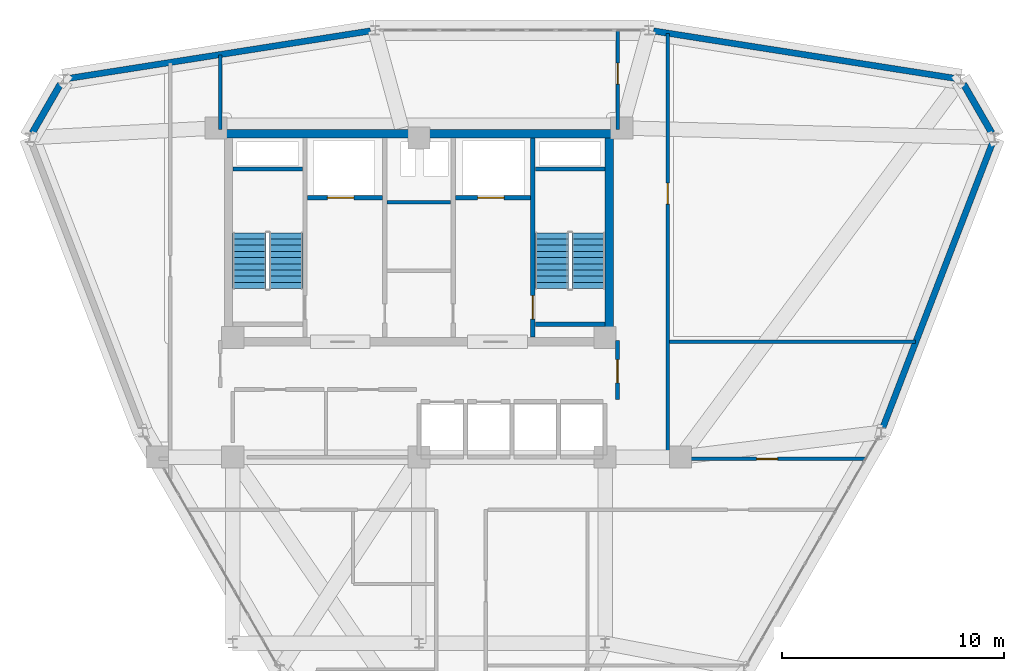
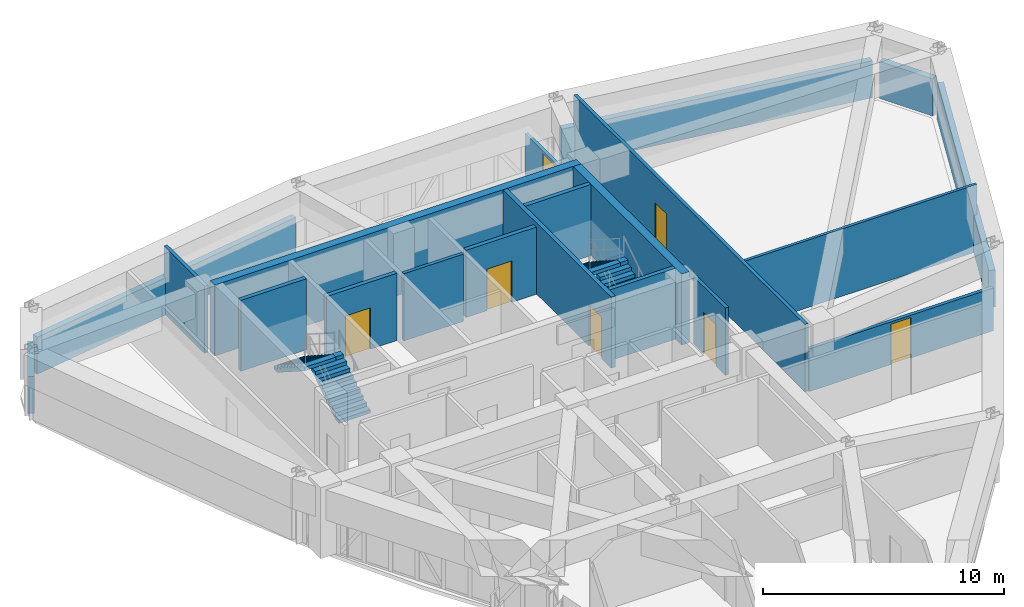
# One storey, part 15 of 16: 20 walls, 7 doors, 4 stair flights, 7 openings, 2 elements without a shape of their own.
"""IFC4 building model written with IfcOpenShell, lengths in metres."""

from ifc_helpers import new_model, si_unit, derived_unit, direction, frame, frame_2d, origin, place, context, subcontext, project, spatial, polyline, rectangle, outline, extrude, material, layer, layer_set, type_object, element, fill, aggregate, save


model = new_model("IFC4")

# Units and contexts
model_context = context("Model", 3, precision=1e-05, world=origin(), true_north=direction((0.0, 1.0)))
body_context = subcontext(model_context, "Body", "Model", "MODEL_VIEW")
ifc_project = project(units=[si_unit("LENGTHUNIT", "METRE"), si_unit("AREAUNIT", "SQUARE_METRE"), si_unit("VOLUMEUNIT", "CUBIC_METRE"), si_unit("PLANEANGLEUNIT", "RADIAN"), si_unit("MASSUNIT", "GRAM", prefix="KILO"), derived_unit("THERMALTRANSMITTANCEUNIT", [(si_unit("POWERUNIT", "WATT"), 1), (si_unit("LENGTHUNIT", "METRE"), -2), (si_unit("THERMODYNAMICTEMPERATUREUNIT", "KELVIN"), -1)])], contexts=[model_context])

# Site, building, storey
site_placement = place(None, origin())
site = spatial("IfcSite", under=ifc_project, at=site_placement, CompositionType="ELEMENT")
building_placement = place(site_placement, origin())
building = spatial("IfcBuilding", under=site, at=building_placement, Name="Korsvarv Bourse and Concert Hall", CompositionType="ELEMENT")
storey_placement = place(building_placement, frame((0.0, 0.0, 213.0)))
storey = spatial("IfcBuildingStorey", under=building, at=storey_placement, Name="L55", CompositionType="ELEMENT", Elevation=213.0)

# Walls
ifc_material_1 = material(Name="Concrete C50/60", Category="concrete")
ifc_layer_1 = layer(ifc_material_1, 0.3798828125)
ifc_layer_set_1 = layer_set([ifc_layer_1], Name="Concrete C50/60")
wall_type_1 = type_object("IfcWallType", Name="WL-CORE-380", PredefinedType="SHEAR", material=ifc_layer_set_1)
wall_1_placement = place(storey_placement, frame((27.219970703125, 46.989990234375, 0.0), z_axis=(0.0, 0.0, 1.0), x_axis=(1.0, 0.0, 0.0)))
element("IfcWall", 1, at=wall_1_placement, inside=storey, type_object=wall_type_1, Name="L55 North Core Shear Wall", PredefinedType="SHEAR", context=body_context, shape_type="SweptSolid", body=[
    extrude(rectangle(XDim=17.56005859375, YDim=0.3798828125, at=frame_2d((8.780029296875, 0.0))), origin(), (0.0, 0.0, 1.0), 3.60009765625),
])
wall_2_placement = place(storey_placement, frame((44.590087890625, 37.800048828125, 0.0), z_axis=(0.0, 0.0, 1.0), x_axis=(0.0, 1.0, 0.0)))
element("IfcWall", 2, at=wall_2_placement, inside=storey, type_object=wall_type_1, Name="L55 East Core Shear Wall", PredefinedType="SHEAR", context=body_context, shape_type="SweptSolid", body=[
    extrude(rectangle(XDim=9.0, YDim=0.3798828125, at=frame_2d((4.5, 0.0))), origin(), (0.0, 0.0, 1.0), 3.60009765625),
])
wall_3_placement = place(storey_placement, frame((27.610107421875, 45.39990234375, 0.0), z_axis=(0.0, 0.0, 1.0), x_axis=(1.0, 0.0, 0.0)))
element("IfcWall", 3, at=wall_3_placement, inside=storey, type_object=wall_type_1, Name="L55 stair shaft structural wall W-L55-ST1-N", PredefinedType="SHEAR", context=body_context, shape_type="SweptSolid", body=[
    extrude(rectangle(XDim=3.139892578125, YDim=0.199951171875, at=frame_2d((1.56982421875, 0.0))), origin(), (0.0, 0.0, 1.0), 3.60009765625),
])

# Wall, opening, door
wall_4_placement = place(storey_placement, frame((41.139892578125, 37.81005859375, 0.0), z_axis=(0.0, 0.0, 1.0), x_axis=(0.0, 1.0, 0.0)))
wall_4 = element("IfcWall", 4, at=wall_4_placement, inside=storey, type_object=wall_type_1, Name="L55 stair shaft structural wall W-L55-ST2-W", PredefinedType="SHEAR", context=body_context, shape_type="SweptSolid", body=[
    extrude(rectangle(XDim=8.97998046875, YDim=0.199951171875, at=frame_2d((4.489990234375, 0.0))), origin(), (0.0, 0.0, 1.0), 3.60009765625),
])
opening_1_placement = place(wall_4_placement, frame((0.820068359375, 0.0, 0.0)))
opening_1 = element("IfcOpeningElement", 5, at=opening_1_placement, cuts=wall_4, Name="Opening D-01", PredefinedType="OPENING", context=body_context, shape_type="SweptSolid", body=[
    extrude(rectangle(XDim=1.050048828125, YDim=2.10009765625, at=frame_2d((0.52490234375, 1.050048828125))), frame((0.0, 0.10986328125, 0.0), z_axis=(0.0, -1.0, 0.0), x_axis=(1.0, 0.0, 0.0)), (0.0, 0.0, 1.0), 0.219970703125),
])
ifc_material_2 = material(Name="Steel S355 fire door", Category="steel")
door_type_1 = type_object("IfcDoorType", Name="DR-FD60", OperationType="NOTDEFINED", PredefinedType="DOOR", material=ifc_material_2)
door_1_placement = place(opening_1_placement, frame((1.050048828125, 0.0, 0.0), z_axis=(0.0, 0.0, 1.0), x_axis=(-1.0, 0.0, 0.0)))
door_1 = element("IfcDoor", 6, at=door_1_placement, inside=storey, type_object=door_type_1, Name="L55 interior door DR-L55-ST2", OperationType="SINGLE_SWING_LEFT", OverallHeight=2.10009765625, OverallWidth=1.050048828125, PredefinedType="DOOR", context=body_context, shape_type="SweptSolid", body=[
    extrude(rectangle(XDim=1.050048828125, YDim=2.10009765625, at=frame_2d((0.52490234375, 1.050048828125))), frame((0.0, 0.02490234375, 0.0), z_axis=(0.0, -1.0, 0.0), x_axis=(1.0, 0.0, 0.0)), (0.0, 0.0, 1.0), 0.050048828125),
])
fill(opening_1, door_1)

# Walls
for number, where, z_axis, x_axis, name in (
    (7, (41.25, 45.39990234375, 0.0), (0.0, 0.0, 1.0), (1.0, 0.0, 0.0), "L55 stair shaft structural wall W-L55-ST2-N"),
    (8, (41.25, 38.39990234375, 0.0), (0.0, 0.0, 1.0), (1.0, 0.0, 0.0), "L55 stair shaft structural wall W-L55-ST2-S"),
):
    element("IfcWall", number, at=place(storey_placement, frame(where, z_axis=z_axis, x_axis=x_axis)), inside=storey, type_object=wall_type_1, Name=name, PredefinedType="SHEAR", context=body_context, shape_type="SweptSolid", body=[
        extrude(rectangle(XDim=3.139892578125, YDim=0.199951171875, at=frame_2d((1.56982421875, 0.0))), origin(), (0.0, 0.0, 1.0), 3.60009765625),
    ])
ifc_material_3 = material(Name="Precast concrete C45/55 with terracotta rainscreen", Category="concrete")
ifc_layer_2 = layer(ifc_material_3, 0.300048828125)
ifc_layer_set_2 = layer_set([ifc_layer_2], Name="Precast concrete C45/55 with terracotta rainscreen")
wall_type_2 = type_object("IfcWallType", Name="WL-EXT-TC1", PredefinedType="SOLIDWALL", material=ifc_layer_set_2)
for number, where, z_axis, x_axis, name in (
    (9, (61.84716796875, 47.0244140625, 0.0), (0.0, 0.0, 1.0), (-0.49997637333, 0.866039044219, 0.0), "L55 terracotta exterior wall EW-L55-B01"),
    (10, (19.828857421875, 49.23486328125, 0.0), (0.0, 0.0, 1.0), (-0.49990462644, -0.866080460733, 0.0), "L55 terracotta exterior wall EW-L55-B05"),
):
    element("IfcWall", number, at=place(storey_placement, frame(where, z_axis=z_axis, x_axis=x_axis)), inside=storey, type_object=wall_type_2, Name=name, PredefinedType="SOLIDWALL", context=body_context, shape_type="SweptSolid", body=[
        extrude(rectangle(XDim=2.55224609375, YDim=0.300048828125, at=frame_2d((1.276123046875, 0.0))), origin(), (0.0, 0.0, 1.0), 1.8798828125),
    ])
ifc_material_4 = material(Name="Precast concrete C45/55 with fluted terracotta pier", Category="concrete")
ifc_layer_3 = layer(ifc_material_4, 0.280029296875)
ifc_layer_set_3 = layer_set([ifc_layer_3], Name="Precast concrete C45/55 with fluted terracotta pier")
wall_type_3 = type_object("IfcWallType", Name="WL-EXT-TC2", PredefinedType="SOLIDWALL", material=ifc_layer_set_3)
for number, where, z_axis, x_axis, name in (
    (11, (60.239990234375, 49.48046875, 0.0), (0.0, 0.0, 1.0), (-0.987848165878, 0.155422009936, 0.0), "L55 terracotta exterior wall EW-L55-B02"),
    (12, (33.815185546875, 51.62890625, 0.0), (0.0, 0.0, 1.0), (-0.987848165878, -0.155422009936, 0.0), "L55 terracotta exterior wall EW-L55-B04"),
):
    element("IfcWall", number, at=place(storey_placement, frame(where, z_axis=z_axis, x_axis=x_axis)), inside=storey, type_object=wall_type_3, Name=name, PredefinedType="SOLIDWALL", context=body_context, shape_type="SweptSolid", body=[
        extrude(rectangle(XDim=13.8232421875, YDim=0.280029296875, at=frame_2d((6.91162109375, 0.0))), origin(), (0.0, 0.0, 1.0), 1.8798828125),
    ])
wall_5_placement = place(storey_placement, frame((56.933837890625, 33.731201171875, 0.0), z_axis=(0.0, 0.0, 1.0), x_axis=(0.359321962573, 0.933213655715, 0.0)))
element("IfcWall", 13, at=wall_5_placement, inside=storey, type_object=wall_type_3, Name="L55 terracotta exterior wall EW-L55-B12", PredefinedType="SOLIDWALL", context=body_context, shape_type="SweptSolid", body=[
    extrude(rectangle(XDim=13.7880859375, YDim=0.280029296875, at=frame_2d((6.89404296875, 0.0))), origin(), (0.0, 0.0, 1.0), 1.8798828125),
])

# Wall, opening, door
ifc_material_5 = material(Name="Reinforced concrete blockwork C35/45 fire wall", Category="concrete")
ifc_layer_4 = layer(ifc_material_5, 0.199951171875)
ifc_layer_set_4 = layer_set([ifc_layer_4], Name="Reinforced concrete blockwork C35/45 fire wall")
wall_type_4 = type_object("IfcWallType", Name="WL-INT-EI120", PredefinedType="PARTITIONING", material=ifc_layer_set_4)
wall_6_placement = place(storey_placement, frame((30.969970703125, 44.10009765625, 0.0), z_axis=(0.0, 0.0, 1.0), x_axis=(1.0, 0.0, 0.0)))
wall_6 = element("IfcWall", 14, at=wall_6_placement, inside=storey, type_object=wall_type_4, Name="L55 interior partition wall W-L55-FF1-S", PredefinedType="PARTITIONING", context=body_context, shape_type="SweptSolid", body=[
    extrude(rectangle(XDim=3.380126953125, YDim=0.199951171875, at=frame_2d((1.68994140625, 0.0))), origin(), (0.0, 0.0, 1.0), 3.409912109375),
])
opening_2_placement = place(wall_6_placement, frame((0.89990234375, 0.0, 0.0)))
opening_2 = element("IfcOpeningElement", 15, at=opening_2_placement, cuts=wall_6, Name="Opening LD-1", PredefinedType="OPENING", context=body_context, shape_type="SweptSolid", body=[
    extrude(rectangle(XDim=1.199951171875, YDim=2.10009765625, at=frame_2d((0.60009765625, 1.050048828125))), frame((0.0, 0.10986328125, 0.0), z_axis=(0.0, -1.0, 0.0), x_axis=(1.0, 0.0, 0.0)), (0.0, 0.0, 1.0), 0.219970703125),
])
ifc_material_6 = material(Name="Stainless Steel S355 firefighting lift landing door", Category="steel")
door_type_2 = type_object("IfcDoorType", Name="DR-LIFT-FF", OperationType="DOUBLE_DOOR_SLIDING", PredefinedType="DOOR", material=ifc_material_6)
door_2_placement = place(opening_2_placement, origin())
door_2 = element("IfcDoor", 16, at=door_2_placement, inside=storey, type_object=door_type_2, Name="L55 lift sliding landing door LD-L55-FF1", OperationType="DOUBLE_DOOR_SLIDING", OverallHeight=2.10009765625, OverallWidth=1.199951171875, PredefinedType="DOOR", context=body_context, shape_type="SweptSolid", body=[
    extrude(rectangle(XDim=1.199951171875, YDim=2.10009765625, at=frame_2d((0.60009765625, 1.050048828125))), frame((0.0, 0.02490234375, 0.0), z_axis=(0.0, -1.0, 0.0), x_axis=(1.0, 0.0, 0.0)), (0.0, 0.0, 1.0), 0.050048828125),
])
fill(opening_2, door_2)

wall_7_placement = place(storey_placement, frame((37.64990234375, 44.10009765625, 0.0), z_axis=(0.0, 0.0, 1.0), x_axis=(1.0, 0.0, 0.0)))
wall_7 = element("IfcWall", 17, at=wall_7_placement, inside=storey, type_object=wall_type_4, Name="L55 interior partition wall W-L55-FF2-S", PredefinedType="PARTITIONING", context=body_context, shape_type="SweptSolid", body=[
    extrude(rectangle(XDim=3.380126953125, YDim=0.199951171875, at=frame_2d((1.68994140625, 0.0))), origin(), (0.0, 0.0, 1.0), 3.409912109375),
])
opening_3_placement = place(wall_7_placement, frame((1.0, 0.0, 0.0)))
opening_3 = element("IfcOpeningElement", 18, at=opening_3_placement, cuts=wall_7, Name="Opening LD-1", PredefinedType="OPENING", context=body_context, shape_type="SweptSolid", body=[
    extrude(rectangle(XDim=1.199951171875, YDim=2.10009765625, at=frame_2d((0.60009765625, 1.050048828125))), frame((0.0, 0.10986328125, 0.0), z_axis=(0.0, -1.0, 0.0), x_axis=(1.0, 0.0, 0.0)), (0.0, 0.0, 1.0), 0.219970703125),
])
door_3_placement = place(opening_3_placement, origin())
door_3 = element("IfcDoor", 19, at=door_3_placement, inside=storey, type_object=door_type_2, Name="L55 lift sliding landing door LD-L55-FF2", OperationType="DOUBLE_DOOR_SLIDING", OverallHeight=2.10009765625, OverallWidth=1.199951171875, PredefinedType="DOOR", context=body_context, shape_type="SweptSolid", body=[
    extrude(rectangle(XDim=1.199951171875, YDim=2.10009765625, at=frame_2d((0.60009765625, 1.050048828125))), frame((0.0, 0.02490234375, 0.0), z_axis=(0.0, -1.0, 0.0), x_axis=(1.0, 0.0, 0.0)), (0.0, 0.0, 1.0), 0.050048828125),
])
fill(opening_3, door_3)

# Wall
ifc_material_7 = material(Name="Double-stud fire-rated acoustic partition", Category="gypsum")
ifc_layer_5 = layer(ifc_material_7, 0.159912109375)
ifc_layer_set_5 = layer_set([ifc_layer_5], Name="Double-stud fire-rated acoustic partition")
wall_type_5 = type_object("IfcWallType", Name="WL-INT-EI60", PredefinedType="PARTITIONING", material=ifc_layer_set_5)
wall_8_placement = place(storey_placement, frame((34.570068359375, 43.89990234375, 0.0), z_axis=(0.0, 0.0, 1.0), x_axis=(1.0, 0.0, 0.0)))
element("IfcWall", 20, at=wall_8_placement, inside=storey, type_object=wall_type_5, Name="L55 interior partition wall W-L55-K2", PredefinedType="PARTITIONING", context=body_context, shape_type="SweptSolid", body=[
    extrude(rectangle(XDim=2.85986328125, YDim=0.159912109375, at=frame_2d((1.429931640625, 0.0))), origin(), (0.0, 0.0, 1.0), 3.409912109375),
])

# Wall, opening, door
wall_9_placement = place(storey_placement, frame((44.9599609375, 35.0, 0.0), z_axis=(0.0, 0.0, 1.0), x_axis=(0.0, 1.0, 0.0)))
wall_9 = element("IfcWall", 21, at=wall_9_placement, inside=storey, type_object=wall_type_5, Name="L55 interior partition wall W-L55-LOB-E", PredefinedType="PARTITIONING", context=body_context, shape_type="SweptSolid", body=[
    extrude(rectangle(XDim=2.64990234375, YDim=0.159912109375, at=frame_2d((1.324951171875, 0.0))), origin(), (0.0, 0.0, 1.0), 3.409912109375),
])
opening_4_placement = place(wall_9_placement, frame((0.75, 0.0, 0.0)))
opening_4 = element("IfcOpeningElement", 22, at=opening_4_placement, cuts=wall_9, Name="Opening D-01", PredefinedType="OPENING", context=body_context, shape_type="SweptSolid", body=[
    extrude(rectangle(XDim=1.050048828125, YDim=2.10009765625, at=frame_2d((0.52490234375, 1.050048828125))), frame((0.0, 0.08984375, 0.0), z_axis=(0.0, -1.0, 0.0), x_axis=(1.0, 0.0, 0.0)), (0.0, 0.0, 1.0), 0.179931640625),
])
door_4_placement = place(opening_4_placement, origin())
door_4 = element("IfcDoor", 23, at=door_4_placement, inside=storey, type_object=door_type_1, Name="L55 interior door DR-L55-LOBE", OperationType="SINGLE_SWING_LEFT", OverallHeight=2.10009765625, OverallWidth=1.050048828125, PredefinedType="DOOR", context=body_context, shape_type="SweptSolid", body=[
    extrude(rectangle(XDim=1.050048828125, YDim=2.10009765625, at=frame_2d((0.52490234375, 1.050048828125))), frame((0.0, 0.02490234375, 0.0), z_axis=(0.0, -1.0, 0.0), x_axis=(1.0, 0.0, 0.0)), (0.0, 0.0, 1.0), 0.050048828125),
])
fill(opening_4, door_4)

wall_10_placement = place(storey_placement, frame((47.22509765625, 32.31005859375, 0.0), z_axis=(0.0, 0.0, 1.0), x_axis=(0.0, 1.0, 0.0)))
wall_10 = element("IfcWall", 24, at=wall_10_placement, inside=storey, type_object=wall_type_5, Name="L55 interior partition wall W-L55-TCOR-01", PredefinedType="PARTITIONING", context=body_context, shape_type="SweptSolid", body=[
    extrude(rectangle(XDim=19.1982421875, YDim=0.159912109375, at=frame_2d((9.59912109375, 0.0))), origin(), (0.0, 0.0, 1.0), 3.409912109375),
])
opening_5_placement = place(wall_10_placement, frame((11.499755859375, 0.0, 0.0)))
opening_5 = element("IfcOpeningElement", 25, at=opening_5_placement, cuts=wall_10, Name="Opening D-02", PredefinedType="OPENING", context=body_context, shape_type="SweptSolid", body=[
    extrude(rectangle(XDim=0.949951171875, YDim=2.050048828125, at=frame_2d((0.47509765625, 1.02490234375))), frame((0.0, 0.08984375, 0.0), z_axis=(0.0, -1.0, 0.0), x_axis=(1.0, 0.0, 0.0)), (0.0, 0.0, 1.0), 0.179931640625),
])
ifc_material_8 = material(Name="Timber and steel acoustic fire door", Category="wood")
door_type_3 = type_object("IfcDoorType", Name="DR-FD30", OperationType="NOTDEFINED", PredefinedType="DOOR", material=ifc_material_8)
door_5_placement = place(opening_5_placement, origin())
door_5 = element("IfcDoor", 26, at=door_5_placement, inside=storey, type_object=door_type_3, Name="L55 interior door DR-L55-TCOR-RM22", OperationType="SINGLE_SWING_RIGHT", OverallHeight=2.050048828125, OverallWidth=0.949951171875, PredefinedType="DOOR", context=body_context, shape_type="SweptSolid", body=[
    extrude(rectangle(XDim=0.949951171875, YDim=2.050048828125, at=frame_2d((0.47509765625, 1.02490234375))), frame((0.0, 0.02490234375, 0.0), z_axis=(0.0, -1.0, 0.0), x_axis=(1.0, 0.0, 0.0)), (0.0, 0.0, 1.0), 0.050048828125),
])
fill(opening_5, door_5)

wall_11_placement = place(storey_placement, frame((47.306884765625, 32.31494140625, 0.0), z_axis=(0.0, 0.0, 1.0), x_axis=(1.0, 0.0, 0.0)))
wall_11 = element("IfcWall", 27, at=wall_11_placement, inside=storey, type_object=wall_type_5, Name="L55 interior partition wall W-L55-TCOR-07", PredefinedType="PARTITIONING", context=body_context, shape_type="SweptSolid", body=[
    extrude(rectangle(XDim=8.830322265625, YDim=0.159912109375, at=frame_2d((4.4150390625, 0.0))), origin(), (0.0, 0.0, 1.0), 2.169921875),
])
opening_6_placement = place(wall_11_placement, frame((3.926025390625, 0.0, 0.0)))
opening_6 = element("IfcOpeningElement", 28, at=opening_6_placement, cuts=wall_11, Name="Opening D-02", PredefinedType="OPENING", context=body_context, shape_type="SweptSolid", body=[
    extrude(rectangle(XDim=0.949951171875, YDim=2.050048828125, at=frame_2d((0.47509765625, 1.02490234375))), frame((0.0, 0.08984375, 0.0), z_axis=(0.0, -1.0, 0.0), x_axis=(1.0, 0.0, 0.0)), (0.0, 0.0, 1.0), 0.179931640625),
])
door_6_placement = place(opening_6_placement, origin())
door_6 = element("IfcDoor", 29, at=door_6_placement, inside=storey, type_object=door_type_3, Name="L55 interior door DR-L55-TCOR-PN81", OperationType="SINGLE_SWING_RIGHT", OverallHeight=2.050048828125, OverallWidth=0.949951171875, PredefinedType="DOOR", context=body_context, shape_type="SweptSolid", body=[
    extrude(rectangle(XDim=0.949951171875, YDim=2.050048828125, at=frame_2d((0.47509765625, 1.02490234375))), frame((0.0, 0.02490234375, 0.0), z_axis=(0.0, -1.0, 0.0), x_axis=(1.0, 0.0, 0.0)), (0.0, 0.0, 1.0), 0.050048828125),
])
fill(opening_6, door_6)

wall_12_placement = place(storey_placement, frame((44.965087890625, 47.18310546875, 0.0), z_axis=(0.0, 0.0, 1.0), x_axis=(0.0, 1.0, 0.0)))
wall_12 = element("IfcWall", 30, at=wall_12_placement, inside=storey, type_object=wall_type_5, Name="L55 interior partition wall W-L55-TCOR-08", PredefinedType="PARTITIONING", context=body_context, shape_type="SweptSolid", body=[
    extrude(rectangle(XDim=4.45849609375, YDim=0.159912109375, at=frame_2d((2.229248046875, 0.0))), origin(), (0.0, 0.0, 1.0), 2.169921875),
])
opening_7_placement = place(wall_12_placement, frame((2.041259765625, 0.0, 0.0)))
opening_7 = element("IfcOpeningElement", 31, at=opening_7_placement, cuts=wall_12, Name="Opening D-02", PredefinedType="OPENING", context=body_context, shape_type="SweptSolid", body=[
    extrude(rectangle(XDim=0.949951171875, YDim=2.050048828125, at=frame_2d((0.47509765625, 1.02490234375))), frame((0.0, 0.08984375, 0.0), z_axis=(0.0, -1.0, 0.0), x_axis=(1.0, 0.0, 0.0)), (0.0, 0.0, 1.0), 0.179931640625),
])
door_7_placement = place(opening_7_placement, origin())
door_7 = element("IfcDoor", 32, at=door_7_placement, inside=storey, type_object=door_type_3, Name="L55 interior door DR-L55-TCOR-PN67", OperationType="SINGLE_SWING_LEFT", OverallHeight=2.050048828125, OverallWidth=0.949951171875, PredefinedType="DOOR", context=body_context, shape_type="SweptSolid", body=[
    extrude(rectangle(XDim=0.949951171875, YDim=2.050048828125, at=frame_2d((0.47509765625, 1.02490234375))), frame((0.0, 0.02490234375, 0.0), z_axis=(0.0, -1.0, 0.0), x_axis=(1.0, 0.0, 0.0)), (0.0, 0.0, 1.0), 0.050048828125),
])
fill(opening_7, door_7)

# Walls
wall_13_placement = place(storey_placement, frame((27.034912109375, 47.18310546875, 0.0), z_axis=(0.0, 0.0, 1.0), x_axis=(0.0, 1.0, 0.0)))
element("IfcWall", 33, at=wall_13_placement, inside=storey, type_object=wall_type_5, Name="L55 interior partition wall W-L55-TCOR-09", PredefinedType="PARTITIONING", context=body_context, shape_type="SweptSolid", body=[
    extrude(rectangle(XDim=3.359130859375, YDim=0.159912109375, at=frame_2d((1.6796875, 0.0))), origin(), (0.0, 0.0, 1.0), 3.409912109375),
])
ifc_material_9 = material(Name="Insulated steel-stud office acoustic partition", Category="gypsum")
ifc_layer_6 = layer(ifc_material_9, 0.139892578125)
ifc_layer_set_6 = layer_set([ifc_layer_6], Name="Insulated steel-stud office acoustic partition")
wall_type_6 = type_object("IfcWallType", Name="WL-INT-P1", PredefinedType="PARTITIONING", material=ifc_layer_set_6)
wall_14_placement = place(storey_placement, frame((47.306884765625, 37.60498046875, 0.0), z_axis=(0.0, 0.0, 1.0), x_axis=(1.0, 0.0, 0.0)))
element("IfcWall", 34, at=wall_14_placement, inside=storey, type_object=wall_type_6, Name="L55 interior partition wall W-L55-TCOR-13", PredefinedType="PARTITIONING", context=body_context, shape_type="SweptSolid", body=[
    extrude(rectangle(XDim=11.098388671875, YDim=0.139892578125, at=frame_2d((5.54931640625, 0.0))), origin(), (0.0, 0.0, 1.0), 3.409912109375),
])

# Stair, stair flights
ifc_material_10 = material(Name="Precast concrete C45/55", Category="concrete")
stair_type = type_object("IfcStairType", Name="STR-TYPE-04", PredefinedType="HALF_TURN_STAIR", material=ifc_material_10)
stair_1_placement = place(storey_placement, origin())
stair_1 = element("IfcStair", 35, at=stair_1_placement, inside=storey, type_object=stair_type, Name="L55 Tower West Exit Stair ST-T1", PredefinedType="HALF_TURN_STAIR")
stair_flight_type = type_object("IfcStairFlightType", Name="FLT-TYPE-04", PredefinedType="STRAIGHT", material=ifc_material_10)
stair_flight_1_placement = place(storey_placement, frame((30.010009765625, 40.0, 0.0), z_axis=(0.0, 0.0, 1.0), x_axis=(0.0, 1.0, 0.0)))
stair_flight_1 = element("IfcStairFlight", 36, at=stair_flight_1_placement, type_object=stair_flight_type, Name="ST-T1 flight 1", NumberOfRisers=10, NumberOfTreads=9, PredefinedType="STRAIGHT", RiserHeight=0.18, TreadLength=0.28, context=body_context, shape_type="SweptSolid", body=[
    extrude(outline(polyline([(0.0, 0.0), (0.0, 0.179931640625), (0.280029296875, 0.179931640625), (0.280029296875, 0.360107421875), (0.56005859375, 0.360107421875), (0.56005859375, 0.5400390625), (0.840087890625, 0.5400390625), (0.840087890625, 0.719970703125), (1.1201171875, 0.719970703125), (1.1201171875, 0.89990234375), (1.39990234375, 0.89990234375), (1.39990234375, 1.080078125), (1.679931640625, 1.080078125), (1.679931640625, 1.260009765625), (1.9599609375, 1.260009765625), (1.9599609375, 1.43994140625), (2.239990234375, 1.43994140625), (2.239990234375, 1.6201171875), (2.52001953125, 1.6201171875), (2.52001953125, 1.800048828125), (2.52001953125, 1.44189453125), (0.277099609375, 0.0), (0.0, 0.0)])), frame((0.0, 0.75, 0.0), z_axis=(0.0, -1.0, 0.0), x_axis=(1.0, 0.0, 0.0)), (0.0, 0.0, 1.0), 1.5),
])
stair_flight_2_placement = place(storey_placement, frame((28.35009765625, 42.52001953125, 1.800048828125), z_axis=(0.0, 0.0, 1.0), x_axis=(0.0, -1.0, 0.0)))
stair_flight_2 = element("IfcStairFlight", 37, at=stair_flight_2_placement, type_object=stair_flight_type, Name="ST-T1 flight 2", NumberOfRisers=10, NumberOfTreads=9, PredefinedType="STRAIGHT", RiserHeight=0.18, TreadLength=0.28, context=body_context, shape_type="SweptSolid", body=[
    extrude(outline(polyline([(0.0, 0.0), (0.0, 0.179931640625), (0.280029296875, 0.179931640625), (0.280029296875, 0.360107421875), (0.56005859375, 0.360107421875), (0.56005859375, 0.5400390625), (0.840087890625, 0.5400390625), (0.840087890625, 0.719970703125), (1.1201171875, 0.719970703125), (1.1201171875, 0.89990234375), (1.39990234375, 0.89990234375), (1.39990234375, 1.080078125), (1.679931640625, 1.080078125), (1.679931640625, 1.260009765625), (1.9599609375, 1.260009765625), (1.9599609375, 1.43994140625), (2.239990234375, 1.43994140625), (2.239990234375, 1.6201171875), (2.52001953125, 1.6201171875), (2.52001953125, 1.800048828125), (2.52001953125, 1.44189453125), (0.277099609375, 0.0), (0.0, 0.0)])), frame((0.0, 0.75, 0.0), z_axis=(0.0, -1.0, 0.0), x_axis=(1.0, 0.0, 0.0)), (0.0, 0.0, 1.0), 1.5),
])
aggregate(stair_1, [stair_flight_1, stair_flight_2])

stair_2_placement = place(storey_placement, origin())
stair_2 = element("IfcStair", 38, at=stair_2_placement, inside=storey, type_object=stair_type, Name="L55 Tower East Exit Stair ST-T2", PredefinedType="HALF_TURN_STAIR")
stair_flight_3_placement = place(storey_placement, frame((43.64990234375, 40.0, 0.0), z_axis=(0.0, 0.0, 1.0), x_axis=(0.0, 1.0, 0.0)))
stair_flight_3 = element("IfcStairFlight", 39, at=stair_flight_3_placement, type_object=stair_flight_type, Name="ST-T2 flight 1", NumberOfRisers=10, NumberOfTreads=9, PredefinedType="STRAIGHT", RiserHeight=0.18, TreadLength=0.28, context=body_context, shape_type="SweptSolid", body=[
    extrude(outline(polyline([(0.0, 0.0), (0.0, 0.179931640625), (0.280029296875, 0.179931640625), (0.280029296875, 0.360107421875), (0.56005859375, 0.360107421875), (0.56005859375, 0.5400390625), (0.840087890625, 0.5400390625), (0.840087890625, 0.719970703125), (1.1201171875, 0.719970703125), (1.1201171875, 0.89990234375), (1.39990234375, 0.89990234375), (1.39990234375, 1.080078125), (1.679931640625, 1.080078125), (1.679931640625, 1.260009765625), (1.9599609375, 1.260009765625), (1.9599609375, 1.43994140625), (2.239990234375, 1.43994140625), (2.239990234375, 1.6201171875), (2.52001953125, 1.6201171875), (2.52001953125, 1.800048828125), (2.52001953125, 1.44189453125), (0.277099609375, 0.0), (0.0, 0.0)])), frame((0.0, 0.75, 0.0), z_axis=(0.0, -1.0, 0.0), x_axis=(1.0, 0.0, 0.0)), (0.0, 0.0, 1.0), 1.5),
])
stair_flight_4_placement = place(storey_placement, frame((41.989990234375, 42.52001953125, 1.800048828125), z_axis=(0.0, 0.0, 1.0), x_axis=(0.0, -1.0, 0.0)))
stair_flight_4 = element("IfcStairFlight", 40, at=stair_flight_4_placement, type_object=stair_flight_type, Name="ST-T2 flight 2", NumberOfRisers=10, NumberOfTreads=9, PredefinedType="STRAIGHT", RiserHeight=0.18, TreadLength=0.28, context=body_context, shape_type="SweptSolid", body=[
    extrude(outline(polyline([(0.0, 0.0), (0.0, 0.179931640625), (0.280029296875, 0.179931640625), (0.280029296875, 0.360107421875), (0.56005859375, 0.360107421875), (0.56005859375, 0.5400390625), (0.840087890625, 0.5400390625), (0.840087890625, 0.719970703125), (1.1201171875, 0.719970703125), (1.1201171875, 0.89990234375), (1.39990234375, 0.89990234375), (1.39990234375, 1.080078125), (1.679931640625, 1.080078125), (1.679931640625, 1.260009765625), (1.9599609375, 1.260009765625), (1.9599609375, 1.43994140625), (2.239990234375, 1.43994140625), (2.239990234375, 1.6201171875), (2.52001953125, 1.6201171875), (2.52001953125, 1.800048828125), (2.52001953125, 1.44189453125), (0.277099609375, 0.0), (0.0, 0.0)])), frame((0.0, 0.75, 0.0), z_axis=(0.0, -1.0, 0.0), x_axis=(1.0, 0.0, 0.0)), (0.0, 0.0, 1.0), 1.5),
])
aggregate(stair_2, [stair_flight_3, stair_flight_4])

save(model, "model.ifc")
